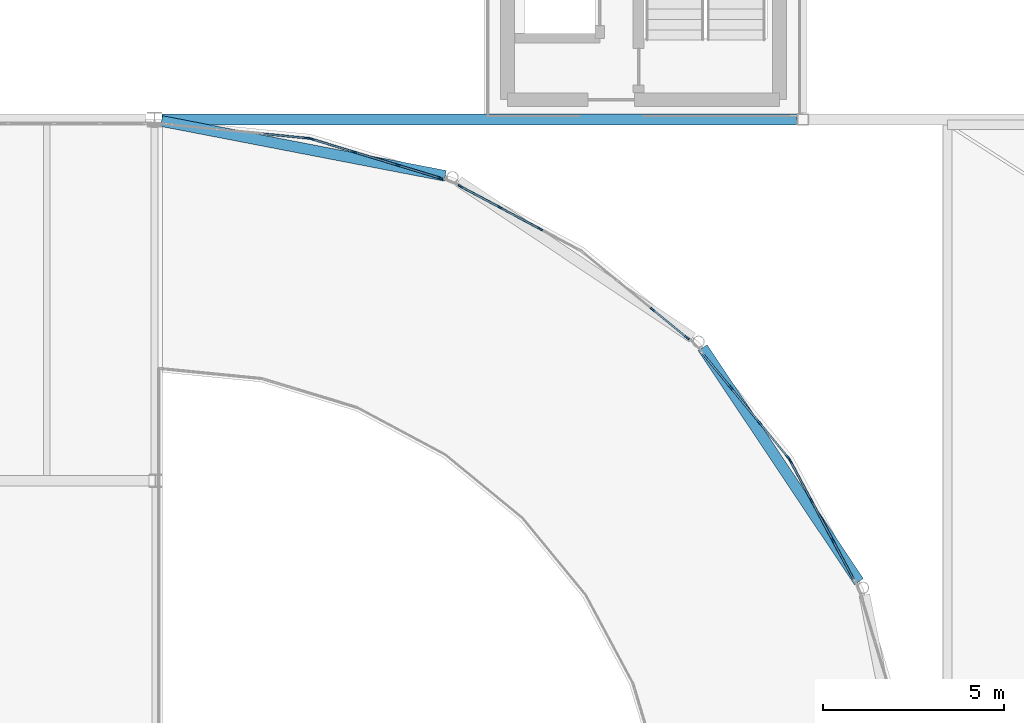
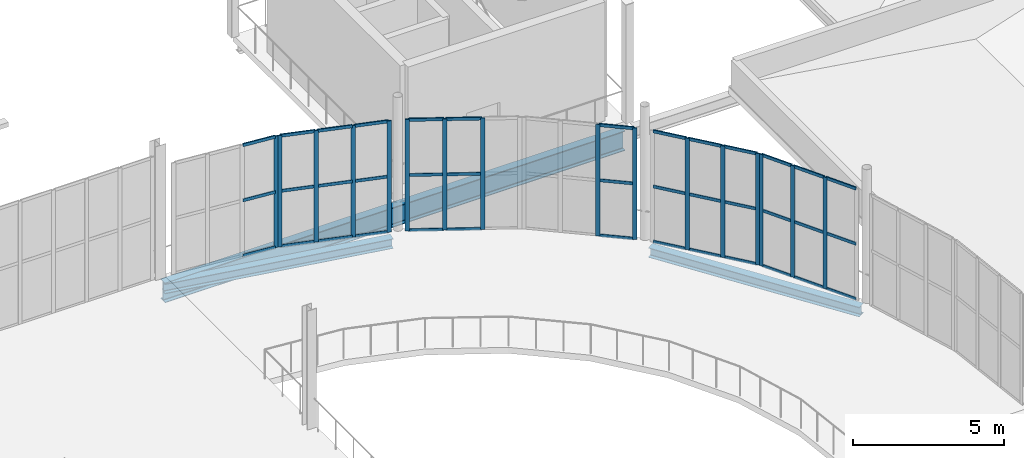
# One storey, part 67 of 112: 55 members, 3 beams, 6 elements without a shape of their own.
"""IFC4 building model written with IfcOpenShell, lengths in metres."""

import ifcopenshell
import ifcopenshell.guid

model = None  # the IFC model being written
_history = None  # IfcOwnerHistory: only IFC2X3 demands one
_inside = {}  # id of a spatial element -> (the spatial element, [elements in it])
_under = {}  # id of a project, library or spatial element -> (it, [spatial elements below it])
_declared = {}  # id of a project -> (the project, [libraries it declares])
_typed = {}  # id of a type object -> (the type object, [elements of that type])
_made_of = {}  # id of a material, layer set ... -> (it, [elements and type objects made of it])


def new_model(schema):
    """Start an empty IFC model of exactly this schema.

    Asked for "IFC4X3", IfcOpenShell would pick the latest addendum, in which some entities
    have other attributes; the version numbers below select the first issue.
    IFC2X3 requires an IfcOwnerHistory on every rooted entity: one is made here for all.
    """
    global model, _history
    if schema == "IFC4X3":
        model = ifcopenshell.file(schema_version=(4, 3, 0, 0))
    else:
        model = ifcopenshell.file(schema=schema)
    _inside.clear()
    _under.clear()
    _declared.clear()
    _typed.clear()
    _made_of.clear()
    _history = None
    if model.schema == "IFC2X3":
        org = make("IfcOrganization", Name="unknown")
        user = make(
            "IfcPersonAndOrganization",
            ThePerson=make("IfcPerson", FamilyName="unknown"),
            TheOrganization=org,
        )
        app = make(
            "IfcApplication",
            ApplicationDeveloper=org,
            Version="unknown",
            ApplicationFullName="unknown",
            ApplicationIdentifier="unknown",
        )
        _history = make(
            "IfcOwnerHistory",
            OwningUser=user,
            OwningApplication=app,
            ChangeAction="ADDED",
            CreationDate=0,
        )
    return model


def make(cls, **values):
    """One entity of the class cls with the attributes given. An attribute that is None is left unset."""
    return model.create_entity(
        cls, **{name: value for name, value in values.items() if value is not None}
    )


def rooted(cls, **values):
    """An entity with a GlobalId (a new one), such as an element, a storey or a relation."""
    return make(cls, GlobalId=ifcopenshell.guid.new(), OwnerHistory=_history, **values)


def si_unit(unit_type, name, prefix=None):
    """IfcSIUnit, for example si_unit("LENGTHUNIT", "METRE", prefix="MILLI")."""
    return make("IfcSIUnit", UnitType=unit_type, Prefix=prefix, Name=name)


def assignment(units):
    """IfcUnitAssignment: the units of a project."""
    return None if units is None else make("IfcUnitAssignment", Units=units)


def point(xyz):
    """IfcCartesianPoint."""
    return None if xyz is None else make("IfcCartesianPoint", Coordinates=xyz)


def direction(xyz):
    """IfcDirection."""
    return None if xyz is None else make("IfcDirection", DirectionRatios=xyz)


def frame(location, z_axis=None, x_axis=None):
    """IfcAxis2Placement3D, a coordinate frame: its origin and axes. An axis left out is left unset."""
    return make(
        "IfcAxis2Placement3D",
        Location=point(location),
        Axis=direction(z_axis),
        RefDirection=direction(x_axis),
    )


def frame_2d(location, x_axis=None):
    """IfcAxis2Placement2D, a coordinate frame in the plane: its origin and x axis."""
    return make(
        "IfcAxis2Placement2D", Location=point(location), RefDirection=direction(x_axis)
    )


def origin():
    """The frame at (0, 0, 0) with its axes left unset."""
    return frame((0.0, 0.0, 0.0))


def origin_2d():
    """The frame at (0, 0) in the plane with its x axis left unset."""
    return frame_2d((0.0, 0.0))


def place(relative_to, where):
    """IfcLocalPlacement: puts the frame where relative to a parent placement (None: the world)."""
    return make(
        "IfcLocalPlacement", PlacementRelTo=relative_to, RelativePlacement=where
    )


def context(
    kind, dimensions, precision=None, world=None, true_north=None, identifier=None
):
    """IfcGeometricRepresentationContext, for example the 3D "Model" context."""
    return make(
        "IfcGeometricRepresentationContext",
        ContextIdentifier=identifier,
        ContextType=kind,
        CoordinateSpaceDimension=dimensions,
        Precision=precision,
        WorldCoordinateSystem=world,
        TrueNorth=true_north,
    )


def subcontext(parent, identifier, kind, view, scale=None):
    """IfcGeometricRepresentationSubContext, for example "Body" below "Model"."""
    return make(
        "IfcGeometricRepresentationSubContext",
        ContextIdentifier=identifier,
        ContextType=kind,
        ParentContext=parent,
        TargetScale=scale,
        TargetView=view,
    )


def project(units=None, contexts=None):
    """IfcProject with its units and contexts."""
    return rooted(
        "IfcProject",
        Name="project",
        RepresentationContexts=contexts,
        UnitsInContext=assignment(units),
    )


def spatial(cls, under=None, at=None, **own):
    """A site, building, storey or space (cls), placed at a placement, below another one or the project."""
    s = rooted(cls, ObjectPlacement=at, **own)
    if under is not None:
        _under.setdefault(under.id(), (under, []))[1].append(s)
    return s


def profile(cls, at=None, kind="AREA", **sizes):
    """A parametric profile (cls). Its sizes go by their IFC names, for example OverallWidth=200.0."""
    return make(cls, ProfileType=kind, Position=at, **sizes)


def rectangle(**sizes):
    """IfcRectangleProfileDef."""
    return profile("IfcRectangleProfileDef", **sizes)


def i_section(**sizes):
    """IfcIShapeProfileDef."""
    return profile("IfcIShapeProfileDef", **sizes)


def extrude(swept, where, along, depth):
    """IfcExtrudedAreaSolid: the profile swept, set in the frame where, extruded along a direction by depth."""
    return make(
        "IfcExtrudedAreaSolid",
        SweptArea=swept,
        Position=where,
        ExtrudedDirection=direction(along),
        Depth=depth,
    )


def shape(context_of_items, identifier, shape_type, items):
    """IfcShapeRepresentation: the items that make up one representation, for example the "Body"."""
    return make(
        "IfcShapeRepresentation",
        ContextOfItems=context_of_items,
        RepresentationIdentifier=identifier,
        RepresentationType=shape_type,
        Items=items,
    )


def material(Name=None, Category=None):
    """IfcMaterial."""
    return make("IfcMaterial", Name=Name, Category=Category)


def layer(
    of_material, thickness, ventilated=None, Name=None, Category=None, Priority=None
):
    """IfcMaterialLayer: one layer of a wall or slab, of a material (None: an air gap)."""
    return make(
        "IfcMaterialLayer",
        Material=of_material,
        LayerThickness=thickness,
        IsVentilated=ventilated,
        Name=Name,
        Category=Category,
        Priority=Priority,
    )


def layer_set(layers, Name=None):
    """IfcMaterialLayerSet."""
    return make("IfcMaterialLayerSet", MaterialLayers=layers, LayerSetName=Name)


def material_profile(
    of_material, cross_section, Name=None, Category=None, Priority=None
):
    """IfcMaterialProfile: a cross section and its material."""
    return make(
        "IfcMaterialProfile",
        Name=Name,
        Material=of_material,
        Profile=cross_section,
        Priority=Priority,
        Category=Category,
    )


def profile_set(profiles, Name=None, composite=None):
    """IfcMaterialProfileSet."""
    return make(
        "IfcMaterialProfileSet",
        Name=Name,
        MaterialProfiles=profiles,
        CompositeProfile=composite,
    )


def made_of(thing, what):
    """Note that an element or type object is made of a material, layer set ...; save() writes the relation."""
    if what is not None:
        _made_of.setdefault(what.id(), (what, []))[1].append(thing)
    return thing


def type_object(cls, material=None, **own):
    """A type object (cls), such as IfcWallType, which elements share."""
    return made_of(rooted(cls, **own), material)


def element(
    cls,
    number,
    at=None,
    inside=None,
    cuts=None,
    type_object=None,
    material=None,
    context=None,
    identifier="Body",
    shape_type=None,
    held_by="IfcProductDefinitionShape",
    body=None,
    shapes=None,
    **own,
):
    """One element of the class cls, such as IfcWall. Its Tag is "e" and its number.

    at: its placement. inside: the storey or other place that contains it. cuts: it is an
    opening in that element (IfcRelVoidsElement). A single representation is given by context,
    identifier, shape_type and body (its items); several are given by shapes. held_by: the class
    of the entity that holds the representations. save() writes the other relations.
    """
    e = rooted(cls, Tag="e%d" % number, ObjectPlacement=at, **own)
    if body is not None:
        shapes = [shape(context, identifier, shape_type, body)]
    if shapes is not None:
        e.Representation = make(held_by, Representations=shapes)
    if inside is not None:
        _inside.setdefault(inside.id(), (inside, []))[1].append(e)
    if cuts is not None:
        rooted(
            "IfcRelVoidsElement", RelatingBuildingElement=cuts, RelatedOpeningElement=e
        )
    if type_object is not None:
        _typed.setdefault(type_object.id(), (type_object, []))[1].append(e)
    return made_of(e, material)


def aggregate(whole, parts):
    """IfcRelAggregates: a whole, such as a stair, and the parts it consists of."""
    return rooted("IfcRelAggregates", RelatingObject=whole, RelatedObjects=parts)


def save(model, path):
    """Write the relations noted so far, then the file.

    IfcRelAggregates (storeys below a building ...), IfcRelContainedInSpatialStructure (elements
    in a storey), IfcRelDefinesByType, IfcRelAssociatesMaterial and IfcRelDeclares: one each for
    every whole, place, type object, material and project.
    """
    for whole, parts in _under.values():
        aggregate(whole, parts)
    for where, things in _inside.values():
        rooted(
            "IfcRelContainedInSpatialStructure",
            RelatedElements=things,
            RelatingStructure=where,
        )
    for kind, things in _typed.values():
        rooted("IfcRelDefinesByType", RelatedObjects=things, RelatingType=kind)
    for what, things in _made_of.values():
        rooted("IfcRelAssociatesMaterial", RelatedObjects=things, RelatingMaterial=what)
    for by, libraries in _declared.values():
        rooted("IfcRelDeclares", RelatingContext=by, RelatedDefinitions=libraries)
    model.write(path)


model = new_model("IFC4")

# Units and contexts
model_context = context("Model", 3, precision=1e-05, world=origin(), true_north=direction((0.0, 1.0)))
body_context = subcontext(model_context, "Body", "Model", "MODEL_VIEW")
ifc_project = project(units=[si_unit("LENGTHUNIT", "METRE"), si_unit("AREAUNIT", "SQUARE_METRE"), si_unit("VOLUMEUNIT", "CUBIC_METRE"), si_unit("PLANEANGLEUNIT", "RADIAN"), si_unit("MASSUNIT", "GRAM", prefix="KILO")], contexts=[model_context])

# Site, building, storey
site_placement = place(None, origin())
site = spatial("IfcSite", under=ifc_project, at=site_placement, CompositionType="ELEMENT")
building_placement = place(site_placement, origin())
building = spatial("IfcBuilding", under=site, at=building_placement, Name="Yeouljin Market Hall", CompositionType="ELEMENT")
storey_placement = place(building_placement, frame((0.0, 0.0, 6.0)))
storey = spatial("IfcBuildingStorey", under=building, at=storey_placement, Name="L01", CompositionType="ELEMENT", Elevation=6.0)

# Beams
ifc_material_1 = material(Name="Steel SM355", Category="steel")
ifc_material_profile_1 = material_profile(ifc_material_1, i_section(OverallWidth=0.300048828125, OverallDepth=0.389892578125, WebThickness=0.010009765625, FlangeThickness=0.01611328125, FilletRadius=0.01806640625, at=origin_2d()), Name="H-390x300x10x16")
ifc_profile_set_1 = profile_set([ifc_material_profile_1], Name="Steel SM355")
beam_type_1 = type_object("IfcBeamType", Name="Beam_H-390x300x10x16", PredefinedType="BEAM", material=ifc_profile_set_1)
beam_1_placement = place(storey_placement, frame((160.28857421875, 65.205322265625, -0.43994140625), z_axis=(-0.555575312274, 0.831466218431, 0.0), x_axis=(-0.831466218431, -0.555575312274, 0.0)))
element("IfcBeam", 1, at=beam_1_placement, inside=storey, type_object=beam_type_1, Name="Apse ring beam L01 255", PredefinedType="BEAM", context=body_context, shape_type="SweptSolid", body=[
    extrude(i_section(OverallWidth=0.300048828125, OverallDepth=0.389892578125, WebThickness=0.010009765625, FlangeThickness=0.01611328125, FilletRadius=0.01806640625, at=origin_2d()), origin(), (0.0, 0.0, 1.0), 7.787353515625),
])
beam_2_placement = place(storey_placement, frame((148.8369140625, 76.43994140625, -0.465087890625), z_axis=(-0.981853779067, 0.189639543691, 0.0), x_axis=(-0.189639543691, -0.981853779067, 0.0)))
element("IfcBeam", 2, at=beam_2_placement, inside=storey, type_object=beam_type_1, Name="Apse ring beam L01 257", PredefinedType="BEAM", context=body_context, shape_type="SweptSolid", body=[
    extrude(i_section(OverallWidth=0.300048828125, OverallDepth=0.389892578125, WebThickness=0.010009765625, FlangeThickness=0.01611328125, FilletRadius=0.01806640625, at=origin_2d()), origin(), (0.0, 0.0, 1.0), 8.001220703125),
])

# Curtain wall, members
ifc_material_2 = material(Name="Thermally Broken Aluminium", Category="aluminium")
ifc_layer = layer(ifc_material_2, 0.179931640625)
ifc_layer_set = layer_set([ifc_layer], Name="Thermally Broken Aluminium")
curtain_wall_type = type_object("IfcCurtainWallType", Name="CW_ApseCurved_System", PredefinedType="USERDEFINED", material=ifc_layer_set)
curtain_wall_1_placement = place(storey_placement, origin())
curtain_wall_1 = element("IfcCurtainWall", 3, at=curtain_wall_1_placement, inside=storey, type_object=curtain_wall_type, Name="Curtain wall CW-AP-EL01-11", ObjectType="CURTAIN WALL", PredefinedType="USERDEFINED")
ifc_material_3 = material(Name="Thermally Broken Aluminium", Category="aluminium")
ifc_material_profile_2 = material_profile(ifc_material_3, rectangle(XDim=0.048095703125, YDim=0.14990234375, at=origin_2d()), Name="CW-MULL-48x150")
ifc_profile_set_2 = profile_set([ifc_material_profile_2], Name="Thermally Broken Aluminium")
member_type_1 = type_object("IfcMemberType", Name="CWMullion_48x150", PredefinedType="MULLION", material=ifc_profile_set_2)
member_1_placement = place(storey_placement, frame((158.391357421875, 68.5439453125, 0.0), z_axis=(0.0, 0.0, 1.0), x_axis=(0.881931478712, 0.471377626598, 0.0)))
member_1 = element("IfcMember", 4, at=member_1_placement, type_object=member_type_1, Name="CW-03 mullion 1", PredefinedType="MULLION", context=body_context, shape_type="SweptSolid", body=[
    extrude(rectangle(XDim=0.048095703125, YDim=0.14990234375, at=origin_2d()), origin(), (0.0, 0.0, 1.0), 4.5),
])
member_2_placement = place(storey_placement, frame((158.972900390625, 67.455810546875, 0.0), z_axis=(0.0, 0.0, 1.0), x_axis=(0.881931478712, 0.471377626598, 0.0)))
member_2 = element("IfcMember", 5, at=member_2_placement, type_object=member_type_1, Name="CW-03 mullion 2", PredefinedType="MULLION", context=body_context, shape_type="SweptSolid", body=[
    extrude(rectangle(XDim=0.048095703125, YDim=0.14990234375, at=origin_2d()), origin(), (0.0, 0.0, 1.0), 4.5),
])
member_3_placement = place(storey_placement, frame((159.565673828125, 66.346435546875, 0.0), z_axis=(0.0, 0.0, 1.0), x_axis=(0.881931478712, 0.471377626598, 0.0)))
member_3 = element("IfcMember", 6, at=member_3_placement, type_object=member_type_1, Name="CW-03 mullion 3", PredefinedType="MULLION", context=body_context, shape_type="SweptSolid", body=[
    extrude(rectangle(XDim=0.048095703125, YDim=0.14990234375, at=origin_2d()), origin(), (0.0, 0.0, 1.0), 4.5),
])

curtain_wall_2_placement = place(storey_placement, origin())
curtain_wall_2 = element("IfcCurtainWall", 7, at=curtain_wall_2_placement, inside=storey, type_object=curtain_wall_type, Name="Curtain wall CW-AP-EL01-12", ObjectType="CURTAIN WALL", PredefinedType="USERDEFINED")
member_4_placement = place(storey_placement, frame((156.739990234375, 70.57568359375, 0.0), z_axis=(0.0, 0.0, 1.0), x_axis=(0.773017717982, 0.634384432096, 0.0)))
member_4 = element("IfcMember", 8, at=member_4_placement, type_object=member_type_1, Name="CW-03 mullion 2", PredefinedType="MULLION", context=body_context, shape_type="SweptSolid", body=[
    extrude(rectangle(XDim=0.048095703125, YDim=0.14990234375, at=origin_2d()), origin(), (0.0, 0.0, 1.0), 4.5),
])
member_5_placement = place(storey_placement, frame((157.537841796875, 69.603515625, 0.0), z_axis=(0.0, 0.0, 1.0), x_axis=(0.773017717982, 0.634384432096, 0.0)))
member_5 = element("IfcMember", 9, at=member_5_placement, type_object=member_type_1, Name="CW-03 mullion 3", PredefinedType="MULLION", context=body_context, shape_type="SweptSolid", body=[
    extrude(rectangle(XDim=0.048095703125, YDim=0.14990234375, at=origin_2d()), origin(), (0.0, 0.0, 1.0), 4.5),
])
member_6_placement = place(storey_placement, frame((158.320556640625, 68.649658203125, 0.0), z_axis=(0.0, 0.0, 1.0), x_axis=(0.773017717982, 0.634384432096, 0.0)))
member_6 = element("IfcMember", 10, at=member_6_placement, type_object=member_type_1, Name="CW-03 mullion 4", PredefinedType="MULLION", context=body_context, shape_type="SweptSolid", body=[
    extrude(rectangle(XDim=0.048095703125, YDim=0.14990234375, at=origin_2d()), origin(), (0.0, 0.0, 1.0), 4.5),
])

curtain_wall_3_placement = place(storey_placement, origin())
curtain_wall_3 = element("IfcCurtainWall", 11, at=curtain_wall_3_placement, inside=storey, type_object=curtain_wall_type, Name="Curtain wall CW-AP-EL01-13", ObjectType="CURTAIN WALL", PredefinedType="USERDEFINED")
member_7_placement = place(storey_placement, frame((154.57568359375, 72.739990234375, 0.0), z_axis=(0.0, 0.0, 1.0), x_axis=(0.634384432096, 0.773017717982, 0.0)))
member_7 = element("IfcMember", 12, at=member_7_placement, type_object=member_type_1, Name="CW-03 mullion 3", PredefinedType="MULLION", context=body_context, shape_type="SweptSolid", body=[
    extrude(rectangle(XDim=0.048095703125, YDim=0.14990234375, at=origin_2d()), origin(), (0.0, 0.0, 1.0), 4.5),
])
member_8_placement = place(storey_placement, frame((155.529541015625, 71.957275390625, 0.0), z_axis=(0.0, 0.0, 1.0), x_axis=(0.634384432096, 0.773017717982, 0.0)))
member_8 = element("IfcMember", 13, at=member_8_placement, type_object=member_type_1, Name="CW-03 mullion 4", PredefinedType="MULLION", context=body_context, shape_type="SweptSolid", body=[
    extrude(rectangle(XDim=0.048095703125, YDim=0.14990234375, at=origin_2d()), origin(), (0.0, 0.0, 1.0), 4.5),
])

curtain_wall_4_placement = place(storey_placement, origin())
curtain_wall_4 = element("IfcCurtainWall", 14, at=curtain_wall_4_placement, inside=storey, type_object=curtain_wall_type, Name="Curtain wall CW-AP-EL01-14", ObjectType="CURTAIN WALL", PredefinedType="USERDEFINED")
member_9_placement = place(storey_placement, frame((149.258544921875, 76.147216796875, 0.0), z_axis=(0.0, 0.0, 1.0), x_axis=(0.471377626598, 0.881931478712, 0.0)))
member_9 = element("IfcMember", 15, at=member_9_placement, type_object=member_type_1, Name="CW-03 mullion 1", PredefinedType="MULLION", context=body_context, shape_type="SweptSolid", body=[
    extrude(rectangle(XDim=0.048095703125, YDim=0.14990234375, at=origin_2d()), origin(), (0.0, 0.0, 1.0), 4.5),
])
member_10_placement = place(storey_placement, frame((150.346435546875, 75.565673828125, 0.0), z_axis=(0.0, 0.0, 1.0), x_axis=(0.471377626598, 0.881931478712, 0.0)))
member_10 = element("IfcMember", 16, at=member_10_placement, type_object=member_type_1, Name="CW-03 mullion 2", PredefinedType="MULLION", context=body_context, shape_type="SweptSolid", body=[
    extrude(rectangle(XDim=0.048095703125, YDim=0.14990234375, at=origin_2d()), origin(), (0.0, 0.0, 1.0), 4.5),
])
member_11_placement = place(storey_placement, frame((151.455810546875, 74.972900390625, 0.0), z_axis=(0.0, 0.0, 1.0), x_axis=(0.471377626598, 0.881931478712, 0.0)))
member_11 = element("IfcMember", 17, at=member_11_placement, type_object=member_type_1, Name="CW-03 mullion 3", PredefinedType="MULLION", context=body_context, shape_type="SweptSolid", body=[
    extrude(rectangle(XDim=0.048095703125, YDim=0.14990234375, at=origin_2d()), origin(), (0.0, 0.0, 1.0), 4.5),
])

curtain_wall_5_placement = place(storey_placement, origin())
curtain_wall_5 = element("IfcCurtainWall", 18, at=curtain_wall_5_placement, inside=storey, type_object=curtain_wall_type, Name="Curtain wall CW-AP-EL01-15", ObjectType="CURTAIN WALL", PredefinedType="USERDEFINED")
member_12_placement = place(storey_placement, frame((145.134765625, 77.460205078125, 0.0), z_axis=(0.0, 0.0, 1.0), x_axis=(0.290286164863, 0.95693988447, 0.0)))
member_12 = element("IfcMember", 19, at=member_12_placement, type_object=member_type_1, Name="CW-03 mullion 1", PredefinedType="MULLION", context=body_context, shape_type="SweptSolid", body=[
    extrude(rectangle(XDim=0.048095703125, YDim=0.14990234375, at=origin_2d()), origin(), (0.0, 0.0, 1.0), 4.5),
])
member_13_placement = place(storey_placement, frame((146.3154296875, 77.10205078125, 0.0), z_axis=(0.0, 0.0, 1.0), x_axis=(0.290286164863, 0.95693988447, 0.0)))
member_13 = element("IfcMember", 20, at=member_13_placement, type_object=member_type_1, Name="CW-03 mullion 2", PredefinedType="MULLION", context=body_context, shape_type="SweptSolid", body=[
    extrude(rectangle(XDim=0.048095703125, YDim=0.14990234375, at=origin_2d()), origin(), (0.0, 0.0, 1.0), 4.5),
])
member_14_placement = place(storey_placement, frame((147.51904296875, 76.737060546875, 0.0), z_axis=(0.0, 0.0, 1.0), x_axis=(0.290286164863, 0.95693988447, 0.0)))
member_14 = element("IfcMember", 21, at=member_14_placement, type_object=member_type_1, Name="CW-03 mullion 3", PredefinedType="MULLION", context=body_context, shape_type="SweptSolid", body=[
    extrude(rectangle(XDim=0.048095703125, YDim=0.14990234375, at=origin_2d()), origin(), (0.0, 0.0, 1.0), 4.5),
])
member_15_placement = place(storey_placement, frame((148.699462890625, 76.37890625, 0.0), z_axis=(0.0, 0.0, 1.0), x_axis=(0.290286164863, 0.95693988447, 0.0)))
member_15 = element("IfcMember", 22, at=member_15_placement, type_object=member_type_1, Name="CW-03 mullion 4", PredefinedType="MULLION", context=body_context, shape_type="SweptSolid", body=[
    extrude(rectangle(XDim=0.048095703125, YDim=0.14990234375, at=origin_2d()), origin(), (0.0, 0.0, 1.0), 4.5),
])

# Curtain wall, member
curtain_wall_6_placement = place(storey_placement, origin())
curtain_wall_6 = element("IfcCurtainWall", 23, at=curtain_wall_6_placement, inside=storey, type_object=curtain_wall_type, Name="Curtain wall CW-AP-EL01-16", ObjectType="CURTAIN WALL", PredefinedType="USERDEFINED")
member_16_placement = place(storey_placement, frame((145.009765625, 77.485107421875, 0.0), z_axis=(0.0, 0.0, 1.0), x_axis=(0.09803414403, 0.995183051807, 0.0)))
member_16 = element("IfcMember", 24, at=member_16_placement, type_object=member_type_1, Name="CW-03 mullion 4", PredefinedType="MULLION", context=body_context, shape_type="SweptSolid", body=[
    extrude(rectangle(XDim=0.048095703125, YDim=0.14990234375, at=origin_2d()), origin(), (0.0, 0.0, 1.0), 4.5),
])

# Member
ifc_material_4 = material(Name="Thermally Broken Aluminium", Category="aluminium")
ifc_material_profile_3 = material_profile(ifc_material_4, rectangle(XDim=0.048095703125, YDim=0.1201171875, at=origin_2d()), Name="CW-TRAN-48x120")
ifc_profile_set_3 = profile_set([ifc_material_profile_3], Name="Thermally Broken Aluminium")
member_type_2 = type_object("IfcMemberType", Name="CWTransom_48x120", PredefinedType="USERDEFINED", material=ifc_profile_set_3)
member_17_placement = place(storey_placement, frame((158.402587890625, 68.522705078125, 0.02392578125), z_axis=(0.471507041503, -0.881862296401, 0.0), x_axis=(0.881862296401, 0.471507041503, 0.0)))
member_17 = element("IfcMember", 25, at=member_17_placement, type_object=member_type_2, Name="CW-03 transom 1.1", ObjectType="TRANSOM", PredefinedType="USERDEFINED", context=body_context, shape_type="SweptSolid", body=[
    extrude(rectangle(XDim=0.048095703125, YDim=0.1201171875, at=origin_2d()), origin(), (0.0, 0.0, 1.0), 1.185791015625),
])

member_18_placement = place(storey_placement, frame((158.402587890625, 68.522705078125, 2.25), z_axis=(0.471507041503, -0.881862296401, 0.0), x_axis=(0.881862296401, 0.471507041503, 0.0)))
member_18 = element("IfcMember", 26, at=member_18_placement, type_object=member_type_2, Name="CW-03 transom 1.2", ObjectType="TRANSOM", PredefinedType="USERDEFINED", context=body_context, shape_type="SweptSolid", body=[
    extrude(rectangle(XDim=0.048095703125, YDim=0.1201171875, at=origin_2d()), origin(), (0.0, 0.0, 1.0), 1.185791015625),
])

member_19_placement = place(storey_placement, frame((158.402587890625, 68.522705078125, 4.47607421875), z_axis=(0.471507041503, -0.881862296401, 0.0), x_axis=(0.881862296401, 0.471507041503, 0.0)))
member_19 = element("IfcMember", 27, at=member_19_placement, type_object=member_type_2, Name="CW-03 transom 1.3", ObjectType="TRANSOM", PredefinedType="USERDEFINED", context=body_context, shape_type="SweptSolid", body=[
    extrude(rectangle(XDim=0.048095703125, YDim=0.1201171875, at=origin_2d()), origin(), (0.0, 0.0, 1.0), 1.185791015625),
])

member_20_placement = place(storey_placement, frame((158.984130859375, 67.4345703125, 0.02392578125), z_axis=(0.471425984611, -0.881905630458, 0.0), x_axis=(0.881905630458, 0.471425984611, 0.0)))
member_20 = element("IfcMember", 28, at=member_20_placement, type_object=member_type_2, Name="CW-03 transom 2.1", ObjectType="TRANSOM", PredefinedType="USERDEFINED", context=body_context, shape_type="SweptSolid", body=[
    extrude(rectangle(XDim=0.048095703125, YDim=0.1201171875, at=origin_2d()), origin(), (0.0, 0.0, 1.0), 1.209716796875),
])

member_21_placement = place(storey_placement, frame((158.984130859375, 67.4345703125, 2.25), z_axis=(0.471425984611, -0.881905630458, 0.0), x_axis=(0.881905630458, 0.471425984611, 0.0)))
member_21 = element("IfcMember", 29, at=member_21_placement, type_object=member_type_2, Name="CW-03 transom 2.2", ObjectType="TRANSOM", PredefinedType="USERDEFINED", context=body_context, shape_type="SweptSolid", body=[
    extrude(rectangle(XDim=0.048095703125, YDim=0.1201171875, at=origin_2d()), origin(), (0.0, 0.0, 1.0), 1.209716796875),
])

member_22_placement = place(storey_placement, frame((158.984130859375, 67.4345703125, 4.47607421875), z_axis=(0.471425984611, -0.881905630458, 0.0), x_axis=(0.881905630458, 0.471425984611, 0.0)))
member_22 = element("IfcMember", 30, at=member_22_placement, type_object=member_type_2, Name="CW-03 transom 2.3", ObjectType="TRANSOM", PredefinedType="USERDEFINED", context=body_context, shape_type="SweptSolid", body=[
    extrude(rectangle(XDim=0.048095703125, YDim=0.1201171875, at=origin_2d()), origin(), (0.0, 0.0, 1.0), 1.209716796875),
])

member_23_placement = place(storey_placement, frame((159.5771484375, 66.325439453125, 0.02392578125), z_axis=(0.471261307391, -0.881993639521, 0.0), x_axis=(0.881993639521, 0.471261307391, 0.0)))
member_23 = element("IfcMember", 31, at=member_23_placement, type_object=member_type_2, Name="CW-03 transom 3.1", ObjectType="TRANSOM", PredefinedType="USERDEFINED", context=body_context, shape_type="SweptSolid", body=[
    extrude(rectangle(XDim=0.048095703125, YDim=0.1201171875, at=origin_2d()), origin(), (0.0, 0.0, 1.0), 1.185791015625),
])

member_24_placement = place(storey_placement, frame((159.5771484375, 66.325439453125, 2.25), z_axis=(0.471261307391, -0.881993639521, 0.0), x_axis=(0.881993639521, 0.471261307391, 0.0)))
member_24 = element("IfcMember", 32, at=member_24_placement, type_object=member_type_2, Name="CW-03 transom 3.2", ObjectType="TRANSOM", PredefinedType="USERDEFINED", context=body_context, shape_type="SweptSolid", body=[
    extrude(rectangle(XDim=0.048095703125, YDim=0.1201171875, at=origin_2d()), origin(), (0.0, 0.0, 1.0), 1.185791015625),
])

member_25_placement = place(storey_placement, frame((159.5771484375, 66.325439453125, 4.47607421875), z_axis=(0.471261307391, -0.881993639521, 0.0), x_axis=(0.881993639521, 0.471261307391, 0.0)))
member_25 = element("IfcMember", 33, at=member_25_placement, type_object=member_type_2, Name="CW-03 transom 3.3", ObjectType="TRANSOM", PredefinedType="USERDEFINED", context=body_context, shape_type="SweptSolid", body=[
    extrude(rectangle(XDim=0.048095703125, YDim=0.1201171875, at=origin_2d()), origin(), (0.0, 0.0, 1.0), 1.185791015625),
])

aggregate(curtain_wall_1, [member_1, member_2, member_3, member_17, member_18, member_19, member_20, member_21, member_22, member_23, member_24, member_25])

member_26_placement = place(storey_placement, frame((155.972412109375, 71.510986328125, 0.02392578125), z_axis=(0.634313456748, -0.773075959133, 0.0), x_axis=(0.773075959133, 0.634313456748, 0.0)))
member_26 = element("IfcMember", 34, at=member_26_placement, type_object=member_type_2, Name="CW-03 transom 1.1", ObjectType="TRANSOM", PredefinedType="USERDEFINED", context=body_context, shape_type="SweptSolid", body=[
    extrude(rectangle(XDim=0.048095703125, YDim=0.1201171875, at=origin_2d()), origin(), (0.0, 0.0, 1.0), 1.185791015625),
])

member_27_placement = place(storey_placement, frame((155.972412109375, 71.510986328125, 2.25), z_axis=(0.634313456748, -0.773075959133, 0.0), x_axis=(0.773075959133, 0.634313456748, 0.0)))
member_27 = element("IfcMember", 35, at=member_27_placement, type_object=member_type_2, Name="CW-03 transom 1.2", ObjectType="TRANSOM", PredefinedType="USERDEFINED", context=body_context, shape_type="SweptSolid", body=[
    extrude(rectangle(XDim=0.048095703125, YDim=0.1201171875, at=origin_2d()), origin(), (0.0, 0.0, 1.0), 1.185791015625),
])

member_28_placement = place(storey_placement, frame((155.972412109375, 71.510986328125, 4.47607421875), z_axis=(0.634313456748, -0.773075959133, 0.0), x_axis=(0.773075959133, 0.634313456748, 0.0)))
member_28 = element("IfcMember", 36, at=member_28_placement, type_object=member_type_2, Name="CW-03 transom 1.3", ObjectType="TRANSOM", PredefinedType="USERDEFINED", context=body_context, shape_type="SweptSolid", body=[
    extrude(rectangle(XDim=0.048095703125, YDim=0.1201171875, at=origin_2d()), origin(), (0.0, 0.0, 1.0), 1.185791015625),
])

member_29_placement = place(storey_placement, frame((156.755126953125, 70.55712890625, 0.02392578125), z_axis=(0.634369190557, -0.773030225846, 0.0), x_axis=(0.773030225846, 0.634369190557, 0.0)))
member_29 = element("IfcMember", 37, at=member_29_placement, type_object=member_type_2, Name="CW-03 transom 2.1", ObjectType="TRANSOM", PredefinedType="USERDEFINED", context=body_context, shape_type="SweptSolid", body=[
    extrude(rectangle(XDim=0.048095703125, YDim=0.1201171875, at=origin_2d()), origin(), (0.0, 0.0, 1.0), 1.209716796875),
])

member_30_placement = place(storey_placement, frame((156.755126953125, 70.55712890625, 2.25), z_axis=(0.634369190557, -0.773030225846, 0.0), x_axis=(0.773030225846, 0.634369190557, 0.0)))
member_30 = element("IfcMember", 38, at=member_30_placement, type_object=member_type_2, Name="CW-03 transom 2.2", ObjectType="TRANSOM", PredefinedType="USERDEFINED", context=body_context, shape_type="SweptSolid", body=[
    extrude(rectangle(XDim=0.048095703125, YDim=0.1201171875, at=origin_2d()), origin(), (0.0, 0.0, 1.0), 1.209716796875),
])

member_31_placement = place(storey_placement, frame((156.755126953125, 70.55712890625, 4.47607421875), z_axis=(0.634369190557, -0.773030225846, 0.0), x_axis=(0.773030225846, 0.634369190557, 0.0)))
member_31 = element("IfcMember", 39, at=member_31_placement, type_object=member_type_2, Name="CW-03 transom 2.3", ObjectType="TRANSOM", PredefinedType="USERDEFINED", context=body_context, shape_type="SweptSolid", body=[
    extrude(rectangle(XDim=0.048095703125, YDim=0.1201171875, at=origin_2d()), origin(), (0.0, 0.0, 1.0), 1.209716796875),
])

member_32_placement = place(storey_placement, frame((157.552978515625, 69.5849609375, 0.02392578125), z_axis=(0.634313456748, -0.773075959133, 0.0), x_axis=(0.773075959133, 0.634313456748, 0.0)))
member_32 = element("IfcMember", 40, at=member_32_placement, type_object=member_type_2, Name="CW-03 transom 3.1", ObjectType="TRANSOM", PredefinedType="USERDEFINED", context=body_context, shape_type="SweptSolid", body=[
    extrude(rectangle(XDim=0.048095703125, YDim=0.1201171875, at=origin_2d()), origin(), (0.0, 0.0, 1.0), 1.185791015625),
])

member_33_placement = place(storey_placement, frame((157.552978515625, 69.5849609375, 2.25), z_axis=(0.634313456748, -0.773075959133, 0.0), x_axis=(0.773075959133, 0.634313456748, 0.0)))
member_33 = element("IfcMember", 41, at=member_33_placement, type_object=member_type_2, Name="CW-03 transom 3.2", ObjectType="TRANSOM", PredefinedType="USERDEFINED", context=body_context, shape_type="SweptSolid", body=[
    extrude(rectangle(XDim=0.048095703125, YDim=0.1201171875, at=origin_2d()), origin(), (0.0, 0.0, 1.0), 1.185791015625),
])

member_34_placement = place(storey_placement, frame((157.552978515625, 69.5849609375, 4.47607421875), z_axis=(0.634313456748, -0.773075959133, 0.0), x_axis=(0.773075959133, 0.634313456748, 0.0)))
member_34 = element("IfcMember", 42, at=member_34_placement, type_object=member_type_2, Name="CW-03 transom 3.3", ObjectType="TRANSOM", PredefinedType="USERDEFINED", context=body_context, shape_type="SweptSolid", body=[
    extrude(rectangle(XDim=0.048095703125, YDim=0.1201171875, at=origin_2d()), origin(), (0.0, 0.0, 1.0), 1.185791015625),
])

aggregate(curtain_wall_2, [member_4, member_5, member_6, member_26, member_27, member_28, member_29, member_30, member_31, member_32, member_33, member_34])

member_35_placement = place(storey_placement, frame((154.59423828125, 72.724609375, 0.02392578125), z_axis=(0.773075959133, -0.634313456748, 0.0), x_axis=(0.634313456748, 0.773075959133, 0.0)))
member_35 = element("IfcMember", 43, at=member_35_placement, type_object=member_type_2, Name="CW-03 transom 3.1", ObjectType="TRANSOM", PredefinedType="USERDEFINED", context=body_context, shape_type="SweptSolid", body=[
    extrude(rectangle(XDim=0.048095703125, YDim=0.1201171875, at=origin_2d()), origin(), (0.0, 0.0, 1.0), 1.185791015625),
])

member_36_placement = place(storey_placement, frame((154.59423828125, 72.724609375, 2.25), z_axis=(0.773075959133, -0.634313456748, 0.0), x_axis=(0.634313456748, 0.773075959133, 0.0)))
member_36 = element("IfcMember", 44, at=member_36_placement, type_object=member_type_2, Name="CW-03 transom 3.2", ObjectType="TRANSOM", PredefinedType="USERDEFINED", context=body_context, shape_type="SweptSolid", body=[
    extrude(rectangle(XDim=0.048095703125, YDim=0.1201171875, at=origin_2d()), origin(), (0.0, 0.0, 1.0), 1.185791015625),
])

member_37_placement = place(storey_placement, frame((154.59423828125, 72.724609375, 4.47607421875), z_axis=(0.773075959133, -0.634313456748, 0.0), x_axis=(0.634313456748, 0.773075959133, 0.0)))
member_37 = element("IfcMember", 45, at=member_37_placement, type_object=member_type_2, Name="CW-03 transom 3.3", ObjectType="TRANSOM", PredefinedType="USERDEFINED", context=body_context, shape_type="SweptSolid", body=[
    extrude(rectangle(XDim=0.048095703125, YDim=0.1201171875, at=origin_2d()), origin(), (0.0, 0.0, 1.0), 1.185791015625),
])

aggregate(curtain_wall_3, [member_7, member_8, member_35, member_36, member_37])

member_38_placement = place(storey_placement, frame((149.279541015625, 76.135986328125, 0.02392578125), z_axis=(0.881993639521, -0.471261307391, 0.0), x_axis=(0.471261307391, 0.881993639521, 0.0)))
member_38 = element("IfcMember", 46, at=member_38_placement, type_object=member_type_2, Name="CW-03 transom 1.1", ObjectType="TRANSOM", PredefinedType="USERDEFINED", context=body_context, shape_type="SweptSolid", body=[
    extrude(rectangle(XDim=0.048095703125, YDim=0.1201171875, at=origin_2d()), origin(), (0.0, 0.0, 1.0), 1.185791015625),
])

member_39_placement = place(storey_placement, frame((149.279541015625, 76.135986328125, 2.25), z_axis=(0.881993639521, -0.471261307391, 0.0), x_axis=(0.471261307391, 0.881993639521, 0.0)))
member_39 = element("IfcMember", 47, at=member_39_placement, type_object=member_type_2, Name="CW-03 transom 1.2", ObjectType="TRANSOM", PredefinedType="USERDEFINED", context=body_context, shape_type="SweptSolid", body=[
    extrude(rectangle(XDim=0.048095703125, YDim=0.1201171875, at=origin_2d()), origin(), (0.0, 0.0, 1.0), 1.185791015625),
])

member_40_placement = place(storey_placement, frame((149.279541015625, 76.135986328125, 4.47607421875), z_axis=(0.881993639521, -0.471261307391, 0.0), x_axis=(0.471261307391, 0.881993639521, 0.0)))
member_40 = element("IfcMember", 48, at=member_40_placement, type_object=member_type_2, Name="CW-03 transom 1.3", ObjectType="TRANSOM", PredefinedType="USERDEFINED", context=body_context, shape_type="SweptSolid", body=[
    extrude(rectangle(XDim=0.048095703125, YDim=0.1201171875, at=origin_2d()), origin(), (0.0, 0.0, 1.0), 1.185791015625),
])

member_41_placement = place(storey_placement, frame((150.36767578125, 75.554443359375, 0.02392578125), z_axis=(0.881905630458, -0.471425984611, 0.0), x_axis=(0.471425984611, 0.881905630458, 0.0)))
member_41 = element("IfcMember", 49, at=member_41_placement, type_object=member_type_2, Name="CW-03 transom 2.1", ObjectType="TRANSOM", PredefinedType="USERDEFINED", context=body_context, shape_type="SweptSolid", body=[
    extrude(rectangle(XDim=0.048095703125, YDim=0.1201171875, at=origin_2d()), origin(), (0.0, 0.0, 1.0), 1.209716796875),
])

member_42_placement = place(storey_placement, frame((150.36767578125, 75.554443359375, 2.25), z_axis=(0.881905630458, -0.471425984611, 0.0), x_axis=(0.471425984611, 0.881905630458, 0.0)))
member_42 = element("IfcMember", 50, at=member_42_placement, type_object=member_type_2, Name="CW-03 transom 2.2", ObjectType="TRANSOM", PredefinedType="USERDEFINED", context=body_context, shape_type="SweptSolid", body=[
    extrude(rectangle(XDim=0.048095703125, YDim=0.1201171875, at=origin_2d()), origin(), (0.0, 0.0, 1.0), 1.209716796875),
])

member_43_placement = place(storey_placement, frame((150.36767578125, 75.554443359375, 4.47607421875), z_axis=(0.881905630458, -0.471425984611, 0.0), x_axis=(0.471425984611, 0.881905630458, 0.0)))
member_43 = element("IfcMember", 51, at=member_43_placement, type_object=member_type_2, Name="CW-03 transom 2.3", ObjectType="TRANSOM", PredefinedType="USERDEFINED", context=body_context, shape_type="SweptSolid", body=[
    extrude(rectangle(XDim=0.048095703125, YDim=0.1201171875, at=origin_2d()), origin(), (0.0, 0.0, 1.0), 1.209716796875),
])

aggregate(curtain_wall_4, [member_9, member_10, member_11, member_38, member_39, member_40, member_41, member_42, member_43])

member_44_placement = place(storey_placement, frame((145.15771484375, 77.453369140625, 0.02392578125), z_axis=(0.956937784149, -0.290293088565, 0.0), x_axis=(0.290293088565, 0.956937784149, 0.0)))
member_44 = element("IfcMember", 52, at=member_44_placement, type_object=member_type_2, Name="CW-03 transom 1.1", ObjectType="TRANSOM", PredefinedType="USERDEFINED", context=body_context, shape_type="SweptSolid", body=[
    extrude(rectangle(XDim=0.048095703125, YDim=0.1201171875, at=origin_2d()), origin(), (0.0, 0.0, 1.0), 1.185791015625),
])

member_45_placement = place(storey_placement, frame((145.15771484375, 77.453369140625, 2.25), z_axis=(0.956937784149, -0.290293088565, 0.0), x_axis=(0.290293088565, 0.956937784149, 0.0)))
member_45 = element("IfcMember", 53, at=member_45_placement, type_object=member_type_2, Name="CW-03 transom 1.2", ObjectType="TRANSOM", PredefinedType="USERDEFINED", context=body_context, shape_type="SweptSolid", body=[
    extrude(rectangle(XDim=0.048095703125, YDim=0.1201171875, at=origin_2d()), origin(), (0.0, 0.0, 1.0), 1.185791015625),
])

member_46_placement = place(storey_placement, frame((145.15771484375, 77.453369140625, 4.47607421875), z_axis=(0.956937784149, -0.290293088565, 0.0), x_axis=(0.290293088565, 0.956937784149, 0.0)))
member_46 = element("IfcMember", 54, at=member_46_placement, type_object=member_type_2, Name="CW-03 transom 1.3", ObjectType="TRANSOM", PredefinedType="USERDEFINED", context=body_context, shape_type="SweptSolid", body=[
    extrude(rectangle(XDim=0.048095703125, YDim=0.1201171875, at=origin_2d()), origin(), (0.0, 0.0, 1.0), 1.185791015625),
])

member_47_placement = place(storey_placement, frame((146.33837890625, 77.09521484375, 0.02392578125), z_axis=(0.956893599111, -0.29043870262, 0.0), x_axis=(0.29043870262, 0.956893599111, 0.0)))
member_47 = element("IfcMember", 55, at=member_47_placement, type_object=member_type_2, Name="CW-03 transom 2.1", ObjectType="TRANSOM", PredefinedType="USERDEFINED", context=body_context, shape_type="SweptSolid", body=[
    extrude(rectangle(XDim=0.048095703125, YDim=0.1201171875, at=origin_2d()), origin(), (0.0, 0.0, 1.0), 1.209716796875),
])

member_48_placement = place(storey_placement, frame((146.33837890625, 77.09521484375, 2.25), z_axis=(0.956893599111, -0.29043870262, 0.0), x_axis=(0.29043870262, 0.956893599111, 0.0)))
member_48 = element("IfcMember", 56, at=member_48_placement, type_object=member_type_2, Name="CW-03 transom 2.2", ObjectType="TRANSOM", PredefinedType="USERDEFINED", context=body_context, shape_type="SweptSolid", body=[
    extrude(rectangle(XDim=0.048095703125, YDim=0.1201171875, at=origin_2d()), origin(), (0.0, 0.0, 1.0), 1.209716796875),
])

member_49_placement = place(storey_placement, frame((146.33837890625, 77.09521484375, 4.47607421875), z_axis=(0.956893599111, -0.29043870262, 0.0), x_axis=(0.29043870262, 0.956893599111, 0.0)))
member_49 = element("IfcMember", 57, at=member_49_placement, type_object=member_type_2, Name="CW-03 transom 2.3", ObjectType="TRANSOM", PredefinedType="USERDEFINED", context=body_context, shape_type="SweptSolid", body=[
    extrude(rectangle(XDim=0.048095703125, YDim=0.1201171875, at=origin_2d()), origin(), (0.0, 0.0, 1.0), 1.209716796875),
])

member_50_placement = place(storey_placement, frame((147.5419921875, 76.72998046875, 0.02392578125), z_axis=(0.95692042936, -0.290350291671, 0.0), x_axis=(0.290350291671, 0.95692042936, 0.0)))
member_50 = element("IfcMember", 58, at=member_50_placement, type_object=member_type_2, Name="CW-03 transom 3.1", ObjectType="TRANSOM", PredefinedType="USERDEFINED", context=body_context, shape_type="SweptSolid", body=[
    extrude(rectangle(XDim=0.048095703125, YDim=0.1201171875, at=origin_2d()), origin(), (0.0, 0.0, 1.0), 1.185546875),
])

member_51_placement = place(storey_placement, frame((147.5419921875, 76.72998046875, 2.25), z_axis=(0.95692042936, -0.290350291671, 0.0), x_axis=(0.290350291671, 0.95692042936, 0.0)))
member_51 = element("IfcMember", 59, at=member_51_placement, type_object=member_type_2, Name="CW-03 transom 3.2", ObjectType="TRANSOM", PredefinedType="USERDEFINED", context=body_context, shape_type="SweptSolid", body=[
    extrude(rectangle(XDim=0.048095703125, YDim=0.1201171875, at=origin_2d()), origin(), (0.0, 0.0, 1.0), 1.185546875),
])

member_52_placement = place(storey_placement, frame((147.5419921875, 76.72998046875, 4.47607421875), z_axis=(0.95692042936, -0.290350291671, 0.0), x_axis=(0.290350291671, 0.95692042936, 0.0)))
member_52 = element("IfcMember", 60, at=member_52_placement, type_object=member_type_2, Name="CW-03 transom 3.3", ObjectType="TRANSOM", PredefinedType="USERDEFINED", context=body_context, shape_type="SweptSolid", body=[
    extrude(rectangle(XDim=0.048095703125, YDim=0.1201171875, at=origin_2d()), origin(), (0.0, 0.0, 1.0), 1.185546875),
])

aggregate(curtain_wall_5, [member_12, member_13, member_14, member_15, member_44, member_45, member_46, member_47, member_48, member_49, member_50, member_51, member_52])

member_53_placement = place(storey_placement, frame((143.805908203125, 77.603759765625, 0.02392578125), z_axis=(0.995164800405, -0.098219244733, 0.0), x_axis=(0.098219244733, 0.995164800405, 0.0)))
member_53 = element("IfcMember", 61, at=member_53_placement, type_object=member_type_2, Name="CW-03 transom 3.1", ObjectType="TRANSOM", PredefinedType="USERDEFINED", context=body_context, shape_type="SweptSolid", body=[
    extrude(rectangle(XDim=0.048095703125, YDim=0.1201171875, at=origin_2d()), origin(), (0.0, 0.0, 1.0), 1.185546875),
])

member_54_placement = place(storey_placement, frame((143.805908203125, 77.603759765625, 2.25), z_axis=(0.995164800405, -0.098219244733, 0.0), x_axis=(0.098219244733, 0.995164800405, 0.0)))
member_54 = element("IfcMember", 62, at=member_54_placement, type_object=member_type_2, Name="CW-03 transom 3.2", ObjectType="TRANSOM", PredefinedType="USERDEFINED", context=body_context, shape_type="SweptSolid", body=[
    extrude(rectangle(XDim=0.048095703125, YDim=0.1201171875, at=origin_2d()), origin(), (0.0, 0.0, 1.0), 1.185546875),
])

member_55_placement = place(storey_placement, frame((143.805908203125, 77.603759765625, 4.47607421875), z_axis=(0.995164800405, -0.098219244733, 0.0), x_axis=(0.098219244733, 0.995164800405, 0.0)))
member_55 = element("IfcMember", 63, at=member_55_placement, type_object=member_type_2, Name="CW-03 transom 3.3", ObjectType="TRANSOM", PredefinedType="USERDEFINED", context=body_context, shape_type="SweptSolid", body=[
    extrude(rectangle(XDim=0.048095703125, YDim=0.1201171875, at=origin_2d()), origin(), (0.0, 0.0, 1.0), 1.185546875),
])

aggregate(curtain_wall_6, [member_16, member_53, member_54, member_55])

# Beam
ifc_material_5 = material(Name="Steel SM355", Category="steel")
ifc_material_profile_4 = material_profile(ifc_material_5, i_section(OverallWidth=0.300048828125, OverallDepth=0.800048828125, WebThickness=0.013916015625, FlangeThickness=0.02587890625, FilletRadius=0.028076171875, at=origin_2d()), Name="H-800x300x14x26")
ifc_profile_set_4 = profile_set([ifc_material_profile_4], Name="Steel SM355")
beam_type_2 = type_object("IfcBeamType", Name="Girder_H-800x300x14x26", PredefinedType="USERDEFINED", material=ifc_profile_set_4)
beam_3_placement = place(storey_placement, frame((140.985107421875, 78.0, -0.6650390625), z_axis=(1.0, 0.0, 0.0), x_axis=(0.0, 1.0, 0.0)))
element("IfcBeam", 64, at=beam_3_placement, inside=storey, type_object=beam_type_2, Name="Primary girder GRD-L01-X092", ObjectType="GIRDER", PredefinedType="USERDEFINED", context=body_context, shape_type="SweptSolid", body=[
    extrude(i_section(OverallWidth=0.300048828125, OverallDepth=0.800048828125, WebThickness=0.013916015625, FlangeThickness=0.02587890625, FilletRadius=0.028076171875, at=origin_2d()), origin(), (0.0, 0.0, 1.0), 17.579833984375),
])

save(model, "model.ifc")
